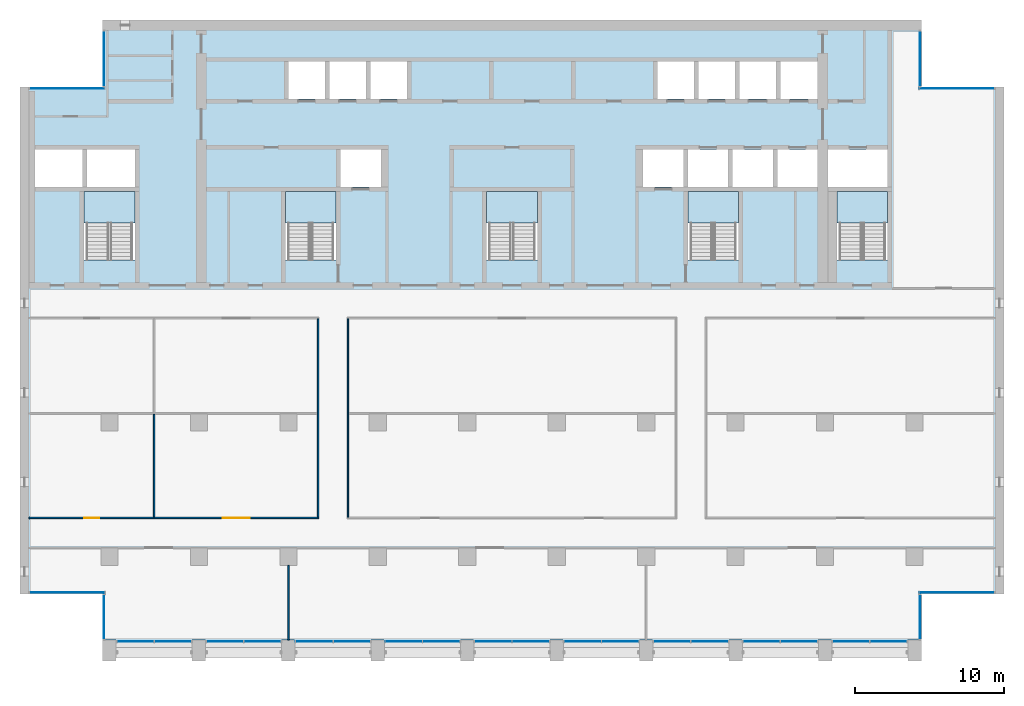
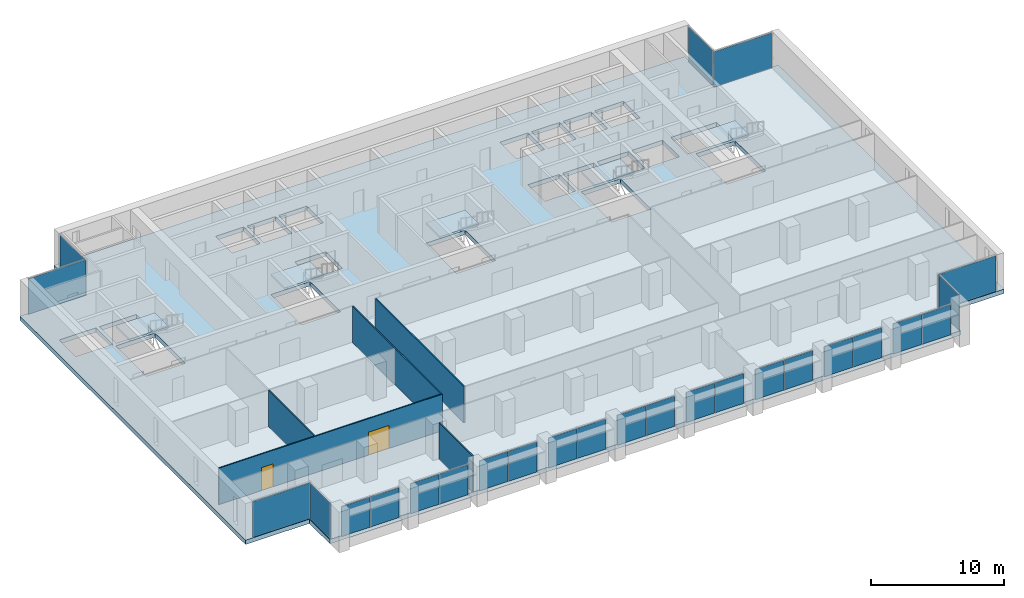
# One storey, part 7 of 16: 26 plates, 6 slabs, 5 walls, 2 doors, 2 openings, 22 elements without a shape of their own.
"""IFC4 building model written with IfcOpenShell, lengths in metres."""

from ifc_helpers import new_model, si_unit, direction, frame, frame_2d, origin, origin_2d, place, context, subcontext, project, spatial, polyline, rectangle, outline, extrude, material, layer, layer_set, type_object, element, fill, aggregate, save


model = new_model("IFC4")

# Units and contexts
model_context = context("Model", 3, precision=1e-05, world=origin(), true_north=direction((0.0, 1.0)))
body_context = subcontext(model_context, "Body", "Model", "MODEL_VIEW")
ifc_project = project(units=[si_unit("LENGTHUNIT", "METRE"), si_unit("AREAUNIT", "SQUARE_METRE"), si_unit("VOLUMEUNIT", "CUBIC_METRE"), si_unit("PLANEANGLEUNIT", "RADIAN"), si_unit("MASSUNIT", "GRAM", prefix="KILO")], contexts=[model_context])

# Site, building, storey
site_placement = place(None, origin())
site = spatial("IfcSite", under=ifc_project, at=site_placement, CompositionType="ELEMENT")
building_placement = place(site_placement, origin())
building = spatial("IfcBuilding", under=site, at=building_placement, Name="Calvaro Tower", CompositionType="ELEMENT")
storey_placement = place(building_placement, frame((0.0, 0.0, 178.0)))
storey = spatial("IfcBuildingStorey", under=building, at=storey_placement, Name="L44", CompositionType="ELEMENT", Elevation=178.0)

# Slab
ifc_material_1 = material(Name="Concrete C40/50", Category="concrete")
ifc_layer_1 = layer(ifc_material_1, 0.39990234375)
ifc_layer_set_1 = layer_set([ifc_layer_1], Name="Concrete C40/50")
slab_type_1 = type_object("IfcSlabType", Name="Floor slab 400 C40/50", PredefinedType="FLOOR", material=ifc_layer_set_1)
slab_1_placement = place(storey_placement, frame((0.0, 0.0, -0.39990234375)))
element("IfcSlab", 1, at=slab_1_placement, inside=storey, type_object=slab_type_1, Name="Floor slab", PredefinedType="FLOOR", context=body_context, shape_type="SweptSolid", body=[
    extrude(outline(polyline([(66.449951171875, 7.5), (66.449951171875, 4.39990234375), (11.550048828125, 4.39990234375), (11.550048828125, 7.5), (6.0, 7.5), (6.0, 41.5), (11.550048828125, 41.5), (11.550048828125, 46.0), (66.449951171875, 46.0), (66.449951171875, 41.5), (72.0, 41.5), (72.0, 7.5), (66.449951171875, 7.5)]), holes=[polyline([(10.300048828125, 29.909912109375), (10.300048828125, 34.5), (12.0, 34.5), (13.699951171875, 34.5), (13.699951171875, 29.909912109375), (12.0, 29.909912109375), (10.300048828125, 29.909912109375)]), polyline([(23.800048828125, 29.909912109375), (23.800048828125, 34.5), (25.5, 34.5), (27.199951171875, 34.5), (27.199951171875, 29.909912109375), (25.5, 29.909912109375), (23.800048828125, 29.909912109375)]), polyline([(37.300048828125, 29.909912109375), (37.300048828125, 34.5), (39.0, 34.5), (40.699951171875, 34.5), (40.699951171875, 29.909912109375), (39.0, 29.909912109375), (37.300048828125, 29.909912109375)]), polyline([(50.800048828125, 29.909912109375), (50.800048828125, 34.5), (52.5, 34.5), (54.199951171875, 34.5), (54.199951171875, 29.909912109375), (52.5, 29.909912109375), (50.800048828125, 29.909912109375)]), polyline([(60.800048828125, 29.909912109375), (60.800048828125, 34.5), (62.5, 34.5), (64.199951171875, 34.5), (64.199951171875, 29.909912109375), (62.5, 29.909912109375), (60.800048828125, 29.909912109375)]), polyline([(50.800048828125, 34.800048828125), (53.5, 34.800048828125), (53.5, 37.300048828125), (50.800048828125, 37.300048828125), (50.800048828125, 34.800048828125)]), polyline([(53.800048828125, 34.800048828125), (56.5, 34.800048828125), (56.5, 37.300048828125), (53.800048828125, 37.300048828125), (53.800048828125, 34.800048828125)]), polyline([(56.800048828125, 34.800048828125), (59.5, 34.800048828125), (59.5, 37.300048828125), (56.800048828125, 37.300048828125), (56.800048828125, 34.800048828125)]), polyline([(24.0, 40.699951171875), (26.449951171875, 40.699951171875), (26.449951171875, 43.199951171875), (24.0, 43.199951171875), (24.0, 40.699951171875)]), polyline([(26.75, 40.699951171875), (29.199951171875, 40.699951171875), (29.199951171875, 43.199951171875), (26.75, 43.199951171875), (26.75, 40.699951171875)]), polyline([(29.5, 40.699951171875), (31.949951171875, 40.699951171875), (31.949951171875, 43.199951171875), (29.5, 43.199951171875), (29.5, 40.699951171875)]), polyline([(48.75, 40.699951171875), (51.199951171875, 40.699951171875), (51.199951171875, 43.199951171875), (48.75, 43.199951171875), (48.75, 40.699951171875)]), polyline([(51.5, 40.699951171875), (53.949951171875, 40.699951171875), (53.949951171875, 43.199951171875), (51.5, 43.199951171875), (51.5, 40.699951171875)]), polyline([(54.25, 40.699951171875), (56.699951171875, 40.699951171875), (56.699951171875, 43.199951171875), (54.25, 43.199951171875), (54.25, 40.699951171875)]), polyline([(57.0, 40.699951171875), (59.5, 40.699951171875), (59.5, 43.199951171875), (57.0, 43.199951171875), (57.0, 40.699951171875)]), polyline([(7.0, 34.800048828125), (10.199951171875, 34.800048828125), (10.199951171875, 37.300048828125), (7.0, 37.300048828125), (7.0, 34.800048828125)]), polyline([(10.5, 34.800048828125), (13.699951171875, 34.800048828125), (13.699951171875, 37.300048828125), (10.5, 37.300048828125), (10.5, 34.800048828125)]), polyline([(60.199951171875, 34.800048828125), (64.199951171875, 34.800048828125), (64.199951171875, 37.300048828125), (60.199951171875, 37.300048828125), (60.199951171875, 34.800048828125)]), polyline([(27.5, 34.800048828125), (30.199951171875, 34.800048828125), (30.199951171875, 37.300048828125), (27.5, 37.300048828125), (27.5, 34.800048828125)]), polyline([(47.800048828125, 34.800048828125), (50.5, 34.800048828125), (50.5, 37.300048828125), (47.800048828125, 37.300048828125), (47.800048828125, 34.800048828125)])]), origin(), (0.0, 0.0, 1.0), 0.39990234375),
])

# Curtain wall, plates
ifc_material_2 = material(Name="Anodised aluminium", Category="aluminium")
curtain_wall_type = type_object("IfcCurtainWallType", Name="Office curtain wall, upper zone", PredefinedType="NOTDEFINED", material=ifc_material_2)
curtain_wall_1_placement = place(storey_placement, origin())
curtain_wall_1 = element("IfcCurtainWall", 2, at=curtain_wall_1_placement, inside=storey, type_object=curtain_wall_type, Name="CW3 south curtain wall", PredefinedType="NOTDEFINED")
ifc_material_3 = material(Name="Glass", Category="glass")
ifc_layer_2 = layer(ifc_material_3, 0.035888671875)
ifc_layer_set_2 = layer_set([ifc_layer_2], Name="Glass")
plate_type = type_object("IfcPlateType", Name="Glass panel S3 36", PredefinedType="CURTAIN_PANEL", material=ifc_layer_set_2)
plate_1_placement = place(storey_placement, frame((13.739990234375, 4.31005859375, 0.0), z_axis=(0.0, 0.0, 1.0), x_axis=(1.0, 0.0, 0.0)))
plate_1 = element("IfcPlate", 3, at=plate_1_placement, type_object=plate_type, Name="CW3 glass panel 1.1", PredefinedType="CURTAIN_PANEL", context=body_context, shape_type="SweptSolid", body=[
    extrude(rectangle(XDim=2.4599609375, YDim=0.035888671875, at=origin_2d()), origin(), (0.0, 0.0, 1.0), 2.75),
])
plate_2_placement = place(storey_placement, frame((16.260009765625, 4.31005859375, 0.0), z_axis=(0.0, 0.0, 1.0), x_axis=(1.0, 0.0, 0.0)))
plate_2 = element("IfcPlate", 4, at=plate_2_placement, type_object=plate_type, Name="CW3 glass panel 2.1", PredefinedType="CURTAIN_PANEL", context=body_context, shape_type="SweptSolid", body=[
    extrude(rectangle(XDim=2.4599609375, YDim=0.035888671875, at=origin_2d()), origin(), (0.0, 0.0, 1.0), 2.75),
])
aggregate(curtain_wall_1, [plate_1, plate_2])

curtain_wall_2_placement = place(storey_placement, origin())
curtain_wall_2 = element("IfcCurtainWall", 5, at=curtain_wall_2_placement, inside=storey, type_object=curtain_wall_type, Name="CW3 south curtain wall", PredefinedType="NOTDEFINED")
plate_3_placement = place(storey_placement, frame((19.739990234375, 4.31005859375, 0.0), z_axis=(0.0, 0.0, 1.0), x_axis=(1.0, 0.0, 0.0)))
plate_3 = element("IfcPlate", 6, at=plate_3_placement, type_object=plate_type, Name="CW3 glass panel 1.1", PredefinedType="CURTAIN_PANEL", context=body_context, shape_type="SweptSolid", body=[
    extrude(rectangle(XDim=2.4599609375, YDim=0.035888671875, at=origin_2d()), origin(), (0.0, 0.0, 1.0), 2.75),
])
plate_4_placement = place(storey_placement, frame((22.260009765625, 4.31005859375, 0.0), z_axis=(0.0, 0.0, 1.0), x_axis=(1.0, 0.0, 0.0)))
plate_4 = element("IfcPlate", 7, at=plate_4_placement, type_object=plate_type, Name="CW3 glass panel 2.1", PredefinedType="CURTAIN_PANEL", context=body_context, shape_type="SweptSolid", body=[
    extrude(rectangle(XDim=2.4599609375, YDim=0.035888671875, at=origin_2d()), origin(), (0.0, 0.0, 1.0), 2.75),
])
aggregate(curtain_wall_2, [plate_3, plate_4])

curtain_wall_3_placement = place(storey_placement, origin())
curtain_wall_3 = element("IfcCurtainWall", 8, at=curtain_wall_3_placement, inside=storey, type_object=curtain_wall_type, Name="CW3 south curtain wall", PredefinedType="NOTDEFINED")
plate_5_placement = place(storey_placement, frame((25.739990234375, 4.31005859375, 0.0), z_axis=(0.0, 0.0, 1.0), x_axis=(1.0, 0.0, 0.0)))
plate_5 = element("IfcPlate", 9, at=plate_5_placement, type_object=plate_type, Name="CW3 glass panel 1.1", PredefinedType="CURTAIN_PANEL", context=body_context, shape_type="SweptSolid", body=[
    extrude(rectangle(XDim=2.4599609375, YDim=0.035888671875, at=origin_2d()), origin(), (0.0, 0.0, 1.0), 2.75),
])
plate_6_placement = place(storey_placement, frame((28.260009765625, 4.31005859375, 0.0), z_axis=(0.0, 0.0, 1.0), x_axis=(1.0, 0.0, 0.0)))
plate_6 = element("IfcPlate", 10, at=plate_6_placement, type_object=plate_type, Name="CW3 glass panel 2.1", PredefinedType="CURTAIN_PANEL", context=body_context, shape_type="SweptSolid", body=[
    extrude(rectangle(XDim=2.4599609375, YDim=0.035888671875, at=origin_2d()), origin(), (0.0, 0.0, 1.0), 2.75),
])
aggregate(curtain_wall_3, [plate_5, plate_6])

curtain_wall_4_placement = place(storey_placement, origin())
curtain_wall_4 = element("IfcCurtainWall", 11, at=curtain_wall_4_placement, inside=storey, type_object=curtain_wall_type, Name="CW3 south curtain wall", PredefinedType="NOTDEFINED")
plate_7_placement = place(storey_placement, frame((31.739990234375, 4.31005859375, 0.0), z_axis=(0.0, 0.0, 1.0), x_axis=(1.0, 0.0, 0.0)))
plate_7 = element("IfcPlate", 12, at=plate_7_placement, type_object=plate_type, Name="CW3 glass panel 1.1", PredefinedType="CURTAIN_PANEL", context=body_context, shape_type="SweptSolid", body=[
    extrude(rectangle(XDim=2.4599609375, YDim=0.035888671875, at=origin_2d()), origin(), (0.0, 0.0, 1.0), 2.75),
])
plate_8_placement = place(storey_placement, frame((34.260009765625, 4.31005859375, 0.0), z_axis=(0.0, 0.0, 1.0), x_axis=(1.0, 0.0, 0.0)))
plate_8 = element("IfcPlate", 13, at=plate_8_placement, type_object=plate_type, Name="CW3 glass panel 2.1", PredefinedType="CURTAIN_PANEL", context=body_context, shape_type="SweptSolid", body=[
    extrude(rectangle(XDim=2.4599609375, YDim=0.035888671875, at=origin_2d()), origin(), (0.0, 0.0, 1.0), 2.75),
])
aggregate(curtain_wall_4, [plate_7, plate_8])

curtain_wall_5_placement = place(storey_placement, origin())
curtain_wall_5 = element("IfcCurtainWall", 14, at=curtain_wall_5_placement, inside=storey, type_object=curtain_wall_type, Name="CW3 south curtain wall", PredefinedType="NOTDEFINED")
plate_9_placement = place(storey_placement, frame((37.739990234375, 4.31005859375, 0.0), z_axis=(0.0, 0.0, 1.0), x_axis=(1.0, 0.0, 0.0)))
plate_9 = element("IfcPlate", 15, at=plate_9_placement, type_object=plate_type, Name="CW3 glass panel 1.1", PredefinedType="CURTAIN_PANEL", context=body_context, shape_type="SweptSolid", body=[
    extrude(rectangle(XDim=2.4599609375, YDim=0.035888671875, at=origin_2d()), origin(), (0.0, 0.0, 1.0), 2.75),
])
plate_10_placement = place(storey_placement, frame((40.260009765625, 4.31005859375, 0.0), z_axis=(0.0, 0.0, 1.0), x_axis=(1.0, 0.0, 0.0)))
plate_10 = element("IfcPlate", 16, at=plate_10_placement, type_object=plate_type, Name="CW3 glass panel 2.1", PredefinedType="CURTAIN_PANEL", context=body_context, shape_type="SweptSolid", body=[
    extrude(rectangle(XDim=2.4599609375, YDim=0.035888671875, at=origin_2d()), origin(), (0.0, 0.0, 1.0), 2.75),
])
aggregate(curtain_wall_5, [plate_9, plate_10])

curtain_wall_6_placement = place(storey_placement, origin())
curtain_wall_6 = element("IfcCurtainWall", 17, at=curtain_wall_6_placement, inside=storey, type_object=curtain_wall_type, Name="CW3 south curtain wall", PredefinedType="NOTDEFINED")
plate_11_placement = place(storey_placement, frame((43.739990234375, 4.31005859375, 0.0), z_axis=(0.0, 0.0, 1.0), x_axis=(1.0, 0.0, 0.0)))
plate_11 = element("IfcPlate", 18, at=plate_11_placement, type_object=plate_type, Name="CW3 glass panel 1.1", PredefinedType="CURTAIN_PANEL", context=body_context, shape_type="SweptSolid", body=[
    extrude(rectangle(XDim=2.4599609375, YDim=0.035888671875, at=origin_2d()), origin(), (0.0, 0.0, 1.0), 2.75),
])
plate_12_placement = place(storey_placement, frame((46.260009765625, 4.31005859375, 0.0), z_axis=(0.0, 0.0, 1.0), x_axis=(1.0, 0.0, 0.0)))
plate_12 = element("IfcPlate", 19, at=plate_12_placement, type_object=plate_type, Name="CW3 glass panel 2.1", PredefinedType="CURTAIN_PANEL", context=body_context, shape_type="SweptSolid", body=[
    extrude(rectangle(XDim=2.4599609375, YDim=0.035888671875, at=origin_2d()), origin(), (0.0, 0.0, 1.0), 2.75),
])
aggregate(curtain_wall_6, [plate_11, plate_12])

curtain_wall_7_placement = place(storey_placement, origin())
curtain_wall_7 = element("IfcCurtainWall", 20, at=curtain_wall_7_placement, inside=storey, type_object=curtain_wall_type, Name="CW3 south curtain wall", PredefinedType="NOTDEFINED")
plate_13_placement = place(storey_placement, frame((49.739990234375, 4.31005859375, 0.0), z_axis=(0.0, 0.0, 1.0), x_axis=(1.0, 0.0, 0.0)))
plate_13 = element("IfcPlate", 21, at=plate_13_placement, type_object=plate_type, Name="CW3 glass panel 1.1", PredefinedType="CURTAIN_PANEL", context=body_context, shape_type="SweptSolid", body=[
    extrude(rectangle(XDim=2.4599609375, YDim=0.035888671875, at=origin_2d()), origin(), (0.0, 0.0, 1.0), 2.75),
])
plate_14_placement = place(storey_placement, frame((52.260009765625, 4.31005859375, 0.0), z_axis=(0.0, 0.0, 1.0), x_axis=(1.0, 0.0, 0.0)))
plate_14 = element("IfcPlate", 22, at=plate_14_placement, type_object=plate_type, Name="CW3 glass panel 2.1", PredefinedType="CURTAIN_PANEL", context=body_context, shape_type="SweptSolid", body=[
    extrude(rectangle(XDim=2.4599609375, YDim=0.035888671875, at=origin_2d()), origin(), (0.0, 0.0, 1.0), 2.75),
])
aggregate(curtain_wall_7, [plate_13, plate_14])

curtain_wall_8_placement = place(storey_placement, origin())
curtain_wall_8 = element("IfcCurtainWall", 23, at=curtain_wall_8_placement, inside=storey, type_object=curtain_wall_type, Name="CW3 south curtain wall", PredefinedType="NOTDEFINED")
plate_15_placement = place(storey_placement, frame((55.739990234375, 4.31005859375, 0.0), z_axis=(0.0, 0.0, 1.0), x_axis=(1.0, 0.0, 0.0)))
plate_15 = element("IfcPlate", 24, at=plate_15_placement, type_object=plate_type, Name="CW3 glass panel 1.1", PredefinedType="CURTAIN_PANEL", context=body_context, shape_type="SweptSolid", body=[
    extrude(rectangle(XDim=2.4599609375, YDim=0.035888671875, at=origin_2d()), origin(), (0.0, 0.0, 1.0), 2.75),
])
plate_16_placement = place(storey_placement, frame((58.260009765625, 4.31005859375, 0.0), z_axis=(0.0, 0.0, 1.0), x_axis=(1.0, 0.0, 0.0)))
plate_16 = element("IfcPlate", 25, at=plate_16_placement, type_object=plate_type, Name="CW3 glass panel 2.1", PredefinedType="CURTAIN_PANEL", context=body_context, shape_type="SweptSolid", body=[
    extrude(rectangle(XDim=2.4599609375, YDim=0.035888671875, at=origin_2d()), origin(), (0.0, 0.0, 1.0), 2.75),
])
aggregate(curtain_wall_8, [plate_15, plate_16])

curtain_wall_9_placement = place(storey_placement, origin())
curtain_wall_9 = element("IfcCurtainWall", 26, at=curtain_wall_9_placement, inside=storey, type_object=curtain_wall_type, Name="CW3 south curtain wall", PredefinedType="NOTDEFINED")
plate_17_placement = place(storey_placement, frame((61.739990234375, 4.31005859375, 0.0), z_axis=(0.0, 0.0, 1.0), x_axis=(1.0, 0.0, 0.0)))
plate_17 = element("IfcPlate", 27, at=plate_17_placement, type_object=plate_type, Name="CW3 glass panel 1.1", PredefinedType="CURTAIN_PANEL", context=body_context, shape_type="SweptSolid", body=[
    extrude(rectangle(XDim=2.4599609375, YDim=0.035888671875, at=origin_2d()), origin(), (0.0, 0.0, 1.0), 2.75),
])
plate_18_placement = place(storey_placement, frame((64.260009765625, 4.31005859375, 0.0), z_axis=(0.0, 0.0, 1.0), x_axis=(1.0, 0.0, 0.0)))
plate_18 = element("IfcPlate", 28, at=plate_18_placement, type_object=plate_type, Name="CW3 glass panel 2.1", PredefinedType="CURTAIN_PANEL", context=body_context, shape_type="SweptSolid", body=[
    extrude(rectangle(XDim=2.4599609375, YDim=0.035888671875, at=origin_2d()), origin(), (0.0, 0.0, 1.0), 2.75),
])
aggregate(curtain_wall_9, [plate_17, plate_18])

# Curtain wall, plate
curtain_wall_10_placement = place(storey_placement, origin())
curtain_wall_10 = element("IfcCurtainWall", 29, at=curtain_wall_10_placement, inside=storey, type_object=curtain_wall_type, Name="CW3 corner curtain wall", PredefinedType="NOTDEFINED")
plate_19_placement = place(storey_placement, frame((11.639892578125, 5.949951171875, 0.0), z_axis=(0.0, 0.0, 1.0), x_axis=(0.0, 1.0, 0.0)))
plate_19 = element("IfcPlate", 30, at=plate_19_placement, type_object=plate_type, Name="CW3 glass panel 1.1", PredefinedType="CURTAIN_PANEL", context=body_context, shape_type="SweptSolid", body=[
    extrude(rectangle(XDim=2.97998046875, YDim=0.035888671875, at=origin_2d()), origin(), (0.0, 0.0, 1.0), 3.25),
])
aggregate(curtain_wall_10, [plate_19])

curtain_wall_11_placement = place(storey_placement, origin())
curtain_wall_11 = element("IfcCurtainWall", 31, at=curtain_wall_11_placement, inside=storey, type_object=curtain_wall_type, Name="CW3 corner curtain wall", PredefinedType="NOTDEFINED")
plate_20_placement = place(storey_placement, frame((9.1650390625, 7.590087890625, 0.0), z_axis=(0.0, 0.0, 1.0), x_axis=(1.0, 0.0, 0.0)))
plate_20 = element("IfcPlate", 32, at=plate_20_placement, type_object=plate_type, Name="CW3 glass panel 1.1", PredefinedType="CURTAIN_PANEL", context=body_context, shape_type="SweptSolid", body=[
    extrude(rectangle(XDim=5.010009765625, YDim=0.035888671875, at=origin_2d()), origin(), (0.0, 0.0, 1.0), 3.25),
])
aggregate(curtain_wall_11, [plate_20])

curtain_wall_12_placement = place(storey_placement, origin())
curtain_wall_12 = element("IfcCurtainWall", 33, at=curtain_wall_12_placement, inside=storey, type_object=curtain_wall_type, Name="CW3 corner curtain wall", PredefinedType="NOTDEFINED")
plate_21_placement = place(storey_placement, frame((11.639892578125, 43.39990234375, 0.0), z_axis=(0.0, 0.0, 1.0), x_axis=(0.0, 1.0, 0.0)))
plate_21 = element("IfcPlate", 34, at=plate_21_placement, type_object=plate_type, Name="CW3 glass panel 1.1", PredefinedType="CURTAIN_PANEL", context=body_context, shape_type="SweptSolid", body=[
    extrude(rectangle(XDim=3.679931640625, YDim=0.035888671875, at=origin_2d()), origin(), (0.0, 0.0, 1.0), 3.25),
])
aggregate(curtain_wall_12, [plate_21])

curtain_wall_13_placement = place(storey_placement, origin())
curtain_wall_13 = element("IfcCurtainWall", 35, at=curtain_wall_13_placement, inside=storey, type_object=curtain_wall_type, Name="CW3 corner curtain wall", PredefinedType="NOTDEFINED")
plate_22_placement = place(storey_placement, frame((9.1650390625, 41.409912109375, 0.0), z_axis=(0.0, 0.0, 1.0), x_axis=(1.0, 0.0, 0.0)))
plate_22 = element("IfcPlate", 36, at=plate_22_placement, type_object=plate_type, Name="CW3 glass panel 1.1", PredefinedType="CURTAIN_PANEL", context=body_context, shape_type="SweptSolid", body=[
    extrude(rectangle(XDim=5.010009765625, YDim=0.035888671875, at=origin_2d()), origin(), (0.0, 0.0, 1.0), 3.25),
])
aggregate(curtain_wall_13, [plate_22])

curtain_wall_14_placement = place(storey_placement, origin())
curtain_wall_14 = element("IfcCurtainWall", 37, at=curtain_wall_14_placement, inside=storey, type_object=curtain_wall_type, Name="CW3 corner curtain wall", PredefinedType="NOTDEFINED")
plate_23_placement = place(storey_placement, frame((66.360107421875, 5.949951171875, 0.0), z_axis=(0.0, 0.0, 1.0), x_axis=(0.0, 1.0, 0.0)))
plate_23 = element("IfcPlate", 38, at=plate_23_placement, type_object=plate_type, Name="CW3 glass panel 1.1", PredefinedType="CURTAIN_PANEL", context=body_context, shape_type="SweptSolid", body=[
    extrude(rectangle(XDim=2.97998046875, YDim=0.035888671875, at=origin_2d()), origin(), (0.0, 0.0, 1.0), 3.25),
])
aggregate(curtain_wall_14, [plate_23])

curtain_wall_15_placement = place(storey_placement, origin())
curtain_wall_15 = element("IfcCurtainWall", 39, at=curtain_wall_15_placement, inside=storey, type_object=curtain_wall_type, Name="CW3 corner curtain wall", PredefinedType="NOTDEFINED")
plate_24_placement = place(storey_placement, frame((68.8349609375, 7.590087890625, 0.0), z_axis=(0.0, 0.0, 1.0), x_axis=(1.0, 0.0, 0.0)))
plate_24 = element("IfcPlate", 40, at=plate_24_placement, type_object=plate_type, Name="CW3 glass panel 1.1", PredefinedType="CURTAIN_PANEL", context=body_context, shape_type="SweptSolid", body=[
    extrude(rectangle(XDim=5.010009765625, YDim=0.035888671875, at=origin_2d()), origin(), (0.0, 0.0, 1.0), 3.25),
])
aggregate(curtain_wall_15, [plate_24])

curtain_wall_16_placement = place(storey_placement, origin())
curtain_wall_16 = element("IfcCurtainWall", 41, at=curtain_wall_16_placement, inside=storey, type_object=curtain_wall_type, Name="CW3 corner curtain wall", PredefinedType="NOTDEFINED")
plate_25_placement = place(storey_placement, frame((66.360107421875, 43.39990234375, 0.0), z_axis=(0.0, 0.0, 1.0), x_axis=(0.0, 1.0, 0.0)))
plate_25 = element("IfcPlate", 42, at=plate_25_placement, type_object=plate_type, Name="CW3 glass panel 1.1", PredefinedType="CURTAIN_PANEL", context=body_context, shape_type="SweptSolid", body=[
    extrude(rectangle(XDim=3.679931640625, YDim=0.035888671875, at=origin_2d()), origin(), (0.0, 0.0, 1.0), 3.25),
])
aggregate(curtain_wall_16, [plate_25])

curtain_wall_17_placement = place(storey_placement, origin())
curtain_wall_17 = element("IfcCurtainWall", 43, at=curtain_wall_17_placement, inside=storey, type_object=curtain_wall_type, Name="CW3 corner curtain wall", PredefinedType="NOTDEFINED")
plate_26_placement = place(storey_placement, frame((68.8349609375, 41.409912109375, 0.0), z_axis=(0.0, 0.0, 1.0), x_axis=(1.0, 0.0, 0.0)))
plate_26 = element("IfcPlate", 44, at=plate_26_placement, type_object=plate_type, Name="CW3 glass panel 1.1", PredefinedType="CURTAIN_PANEL", context=body_context, shape_type="SweptSolid", body=[
    extrude(rectangle(XDim=5.010009765625, YDim=0.035888671875, at=origin_2d()), origin(), (0.0, 0.0, 1.0), 3.25),
])
aggregate(curtain_wall_17, [plate_26])

# Stair, slab
ifc_material_4 = material(Name="Concrete C40/50", Category="concrete")
stair_type = type_object("IfcStairType", Name="Exit stair 1400 2 flights", PredefinedType="HALF_TURN_STAIR", material=ifc_material_4)
stair_1_placement = place(storey_placement, origin())
stair_1 = element("IfcStair", 45, at=stair_1_placement, inside=storey, type_object=stair_type, Name="Exit stair S1", PredefinedType="HALF_TURN_STAIR")
ifc_material_5 = material(Name="Concrete C40/50", Category="concrete")
ifc_layer_3 = layer(ifc_material_5, 0.199951171875)
ifc_layer_set_3 = layer_set([ifc_layer_3], Name="Concrete C40/50")
slab_type_2 = type_object("IfcSlabType", Name="Stair landing", PredefinedType="LANDING", material=ifc_layer_set_3)
slab_2_placement = place(storey_placement, frame((0.0, 0.0, 1.675048828125)))
slab_2 = element("IfcSlab", 46, at=slab_2_placement, type_object=slab_type_2, Name="Exit stair 1, landing 1", PredefinedType="LANDING", context=body_context, shape_type="SweptSolid", body=[
    extrude(outline(polyline([(11.89990234375, 32.389892578125), (10.5, 32.389892578125), (10.5, 32.39990234375), (10.300048828125, 32.39990234375), (10.300048828125, 34.5), (10.5, 34.5), (11.89990234375, 34.5), (12.10009765625, 34.5), (13.5, 34.5), (13.699951171875, 34.5), (13.699951171875, 32.39990234375), (13.5, 32.39990234375), (13.5, 32.389892578125), (12.10009765625, 32.389892578125), (12.10009765625, 32.39990234375), (11.89990234375, 32.39990234375), (11.89990234375, 32.389892578125)])), origin(), (0.0, 0.0, 1.0), 0.199951171875),
])
aggregate(stair_1, [slab_2])

stair_2_placement = place(storey_placement, origin())
stair_2 = element("IfcStair", 47, at=stair_2_placement, inside=storey, type_object=stair_type, Name="Exit stair S2", PredefinedType="HALF_TURN_STAIR")
slab_3_placement = place(storey_placement, frame((0.0, 0.0, 1.675048828125)))
slab_3 = element("IfcSlab", 48, at=slab_3_placement, type_object=slab_type_2, Name="Exit stair 2, landing 1", PredefinedType="LANDING", context=body_context, shape_type="SweptSolid", body=[
    extrude(outline(polyline([(25.39990234375, 32.389892578125), (24.0, 32.389892578125), (24.0, 32.39990234375), (23.800048828125, 32.39990234375), (23.800048828125, 34.5), (24.0, 34.5), (25.39990234375, 34.5), (25.60009765625, 34.5), (27.0, 34.5), (27.199951171875, 34.5), (27.199951171875, 32.39990234375), (27.0, 32.39990234375), (27.0, 32.389892578125), (25.60009765625, 32.389892578125), (25.60009765625, 32.39990234375), (25.39990234375, 32.39990234375), (25.39990234375, 32.389892578125)])), origin(), (0.0, 0.0, 1.0), 0.199951171875),
])
aggregate(stair_2, [slab_3])

stair_3_placement = place(storey_placement, origin())
stair_3 = element("IfcStair", 49, at=stair_3_placement, inside=storey, type_object=stair_type, Name="Exit stair S3", PredefinedType="HALF_TURN_STAIR")
slab_4_placement = place(storey_placement, frame((0.0, 0.0, 1.675048828125)))
slab_4 = element("IfcSlab", 50, at=slab_4_placement, type_object=slab_type_2, Name="Exit stair 3, landing 1", PredefinedType="LANDING", context=body_context, shape_type="SweptSolid", body=[
    extrude(outline(polyline([(38.89990234375, 32.389892578125), (37.5, 32.389892578125), (37.5, 32.39990234375), (37.300048828125, 32.39990234375), (37.300048828125, 34.5), (37.5, 34.5), (38.89990234375, 34.5), (39.10009765625, 34.5), (40.5, 34.5), (40.699951171875, 34.5), (40.699951171875, 32.39990234375), (40.5, 32.39990234375), (40.5, 32.389892578125), (39.10009765625, 32.389892578125), (39.10009765625, 32.39990234375), (38.89990234375, 32.39990234375), (38.89990234375, 32.389892578125)])), origin(), (0.0, 0.0, 1.0), 0.199951171875),
])
aggregate(stair_3, [slab_4])

stair_4_placement = place(storey_placement, origin())
stair_4 = element("IfcStair", 51, at=stair_4_placement, inside=storey, type_object=stair_type, Name="Exit stair S4", PredefinedType="HALF_TURN_STAIR")
slab_5_placement = place(storey_placement, frame((0.0, 0.0, 1.675048828125)))
slab_5 = element("IfcSlab", 52, at=slab_5_placement, type_object=slab_type_2, Name="Exit stair 4, landing 1", PredefinedType="LANDING", context=body_context, shape_type="SweptSolid", body=[
    extrude(outline(polyline([(52.39990234375, 32.389892578125), (51.0, 32.389892578125), (51.0, 32.39990234375), (50.800048828125, 32.39990234375), (50.800048828125, 34.5), (51.0, 34.5), (52.39990234375, 34.5), (52.60009765625, 34.5), (54.0, 34.5), (54.199951171875, 34.5), (54.199951171875, 32.39990234375), (54.0, 32.39990234375), (54.0, 32.389892578125), (52.60009765625, 32.389892578125), (52.60009765625, 32.39990234375), (52.39990234375, 32.39990234375), (52.39990234375, 32.389892578125)])), origin(), (0.0, 0.0, 1.0), 0.199951171875),
])
aggregate(stair_4, [slab_5])

stair_5_placement = place(storey_placement, origin())
stair_5 = element("IfcStair", 53, at=stair_5_placement, inside=storey, type_object=stair_type, Name="Exit stair S5", PredefinedType="HALF_TURN_STAIR")
slab_6_placement = place(storey_placement, frame((0.0, 0.0, 1.675048828125)))
slab_6 = element("IfcSlab", 54, at=slab_6_placement, type_object=slab_type_2, Name="Exit stair 5, landing 1", PredefinedType="LANDING", context=body_context, shape_type="SweptSolid", body=[
    extrude(outline(polyline([(62.39990234375, 32.389892578125), (61.0, 32.389892578125), (61.0, 32.39990234375), (60.800048828125, 32.39990234375), (60.800048828125, 34.5), (61.0, 34.5), (62.39990234375, 34.5), (62.60009765625, 34.5), (64.0, 34.5), (64.199951171875, 34.5), (64.199951171875, 32.39990234375), (64.0, 32.39990234375), (64.0, 32.389892578125), (62.60009765625, 32.389892578125), (62.60009765625, 32.39990234375), (62.39990234375, 32.39990234375), (62.39990234375, 32.389892578125)])), origin(), (0.0, 0.0, 1.0), 0.199951171875),
])
aggregate(stair_5, [slab_6])

# Wall, openings, doors
ifc_material_6 = material(Name="Plasterboard on steel studs", Category="steel")
ifc_layer_4 = layer(ifc_material_6, 0.10009765625)
ifc_layer_set_4 = layer_set([ifc_layer_4], Name="Plasterboard on steel studs")
wall_type = type_object("IfcWallType", Name="Partition 100", PredefinedType="PARTITIONING", material=ifc_layer_set_4)
wall_1_placement = place(storey_placement, frame((6.60009765625, 12.60009765625, 0.0), z_axis=(0.0, 0.0, 1.0), x_axis=(1.0, 0.0, 0.0)))
wall_1 = element("IfcWall", 55, at=wall_1_placement, inside=storey, type_object=wall_type, Name="Partition T26.W002", PredefinedType="PARTITIONING", context=body_context, shape_type="SweptSolid", body=[
    extrude(rectangle(XDim=19.449951171875, YDim=0.10009765625, at=frame_2d((9.72509765625, 0.0))), origin(), (0.0, 0.0, 1.0), 3.35009765625),
])
opening_1_placement = place(wall_1_placement, frame((3.699951171875, 0.0, 0.0)))
opening_1 = element("IfcOpeningElement", 56, at=opening_1_placement, cuts=wall_1, Name="Opening T26.004", PredefinedType="OPENING", context=body_context, shape_type="SweptSolid", body=[
    extrude(rectangle(XDim=1.0, YDim=2.10009765625, at=frame_2d((0.5, 1.050048828125))), frame((0.0, 0.06005859375, 0.0), z_axis=(0.0, -1.0, 0.0), x_axis=(1.0, 0.0, 0.0)), (0.0, 0.0, 1.0), 0.1201171875),
])
opening_2_placement = place(wall_1_placement, frame((13.0, 0.0, 0.0)))
opening_2 = element("IfcOpeningElement", 57, at=opening_2_placement, cuts=wall_1, Name="Opening T26.005", PredefinedType="OPENING", context=body_context, shape_type="SweptSolid", body=[
    extrude(rectangle(XDim=1.800048828125, YDim=2.10009765625, at=frame_2d((0.89990234375, 1.050048828125))), frame((0.0, 0.06005859375, 0.0), z_axis=(0.0, -1.0, 0.0), x_axis=(1.0, 0.0, 0.0)), (0.0, 0.0, 1.0), 0.1201171875),
])
ifc_material_7 = material(Name="Timber", Category="wood")
door_type_1 = type_object("IfcDoorType", Name="Internal double door 1800 x 2100", OperationType="DOUBLE_DOOR_SINGLE_SWING", PredefinedType="DOOR", material=ifc_material_7)
door_1_placement = place(opening_2_placement, origin())
door_1 = element("IfcDoor", 58, at=door_1_placement, inside=storey, type_object=door_type_1, Name="Door T26.005", OperationType="DOUBLE_DOOR_SINGLE_SWING", OverallHeight=2.10009765625, OverallWidth=1.800048828125, PredefinedType="DOOR", context=body_context, shape_type="SweptSolid", body=[
    extrude(rectangle(XDim=1.800048828125, YDim=2.10009765625, at=frame_2d((0.89990234375, 1.050048828125))), frame((0.0, 0.02490234375, 0.0), z_axis=(0.0, -1.0, 0.0), x_axis=(1.0, 0.0, 0.0)), (0.0, 0.0, 1.0), 0.050048828125),
])
fill(opening_2, door_1)
ifc_material_8 = material(Name="Timber", Category="wood")
door_type_2 = type_object("IfcDoorType", Name="Internal single door 1000 x 2100", OperationType="SINGLE_SWING_LEFT", PredefinedType="DOOR", material=ifc_material_8)
door_2_placement = place(opening_1_placement, origin())
door_2 = element("IfcDoor", 59, at=door_2_placement, inside=storey, type_object=door_type_2, Name="Door T26.004", OperationType="SINGLE_SWING_LEFT", OverallHeight=2.10009765625, OverallWidth=1.0, PredefinedType="DOOR", context=body_context, shape_type="SweptSolid", body=[
    extrude(rectangle(XDim=1.0, YDim=2.10009765625, at=frame_2d((0.5, 1.050048828125))), frame((0.0, 0.02490234375, 0.0), z_axis=(0.0, -1.0, 0.0), x_axis=(1.0, 0.0, 0.0)), (0.0, 0.0, 1.0), 0.050048828125),
])
fill(opening_1, door_2)

# Walls
wall_2_placement = place(storey_placement, frame((15.0, 12.64990234375, 0.0), z_axis=(0.0, 0.0, 1.0), x_axis=(0.0, 1.0, 0.0)))
element("IfcWall", 60, at=wall_2_placement, inside=storey, type_object=wall_type, Name="Partition T26.W012", PredefinedType="PARTITIONING", context=body_context, shape_type="SweptSolid", body=[
    extrude(rectangle(XDim=6.900146484375, YDim=0.10009765625, at=frame_2d((3.4501953125, 0.0))), origin(), (0.0, 0.0, 1.0), 3.35009765625),
])
wall_3_placement = place(storey_placement, frame((24.0, 4.39990234375, 0.0), z_axis=(0.0, 0.0, 1.0), x_axis=(0.0, 1.0, 0.0)))
element("IfcWall", 61, at=wall_3_placement, inside=storey, type_object=wall_type, Name="Partition T26.W014", PredefinedType="PARTITIONING", context=body_context, shape_type="SweptSolid", body=[
    extrude(rectangle(XDim=5.025146484375, YDim=0.10009765625, at=frame_2d((2.5126953125, 0.0))), origin(), (0.0, 0.0, 1.0), 3.35009765625),
])
for number, where, z_axis, x_axis, name in (
    (62, (26.0, 12.64990234375, 0.0), (0.0, 0.0, 1.0), (0.0, 1.0, 0.0), "Partition T26.W015"),
    (63, (28.0, 12.64990234375, 0.0), (0.0, 0.0, 1.0), (0.0, 1.0, 0.0), "Partition T26.W016"),
):
    element("IfcWall", number, at=place(storey_placement, frame(where, z_axis=z_axis, x_axis=x_axis)), inside=storey, type_object=wall_type, Name=name, PredefinedType="PARTITIONING", context=body_context, shape_type="SweptSolid", body=[
        extrude(rectangle(XDim=13.300048828125, YDim=0.10009765625, at=frame_2d((6.64990234375, 0.0))), origin(), (0.0, 0.0, 1.0), 3.35009765625),
    ])

save(model, "model.ifc")
